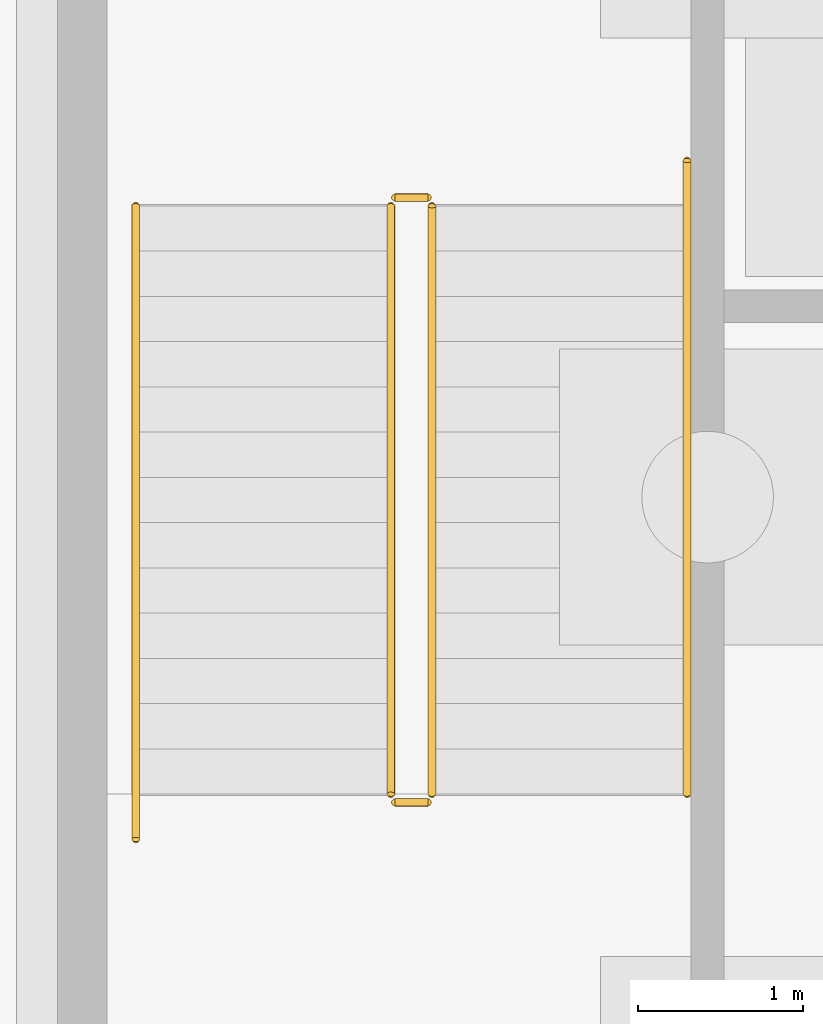
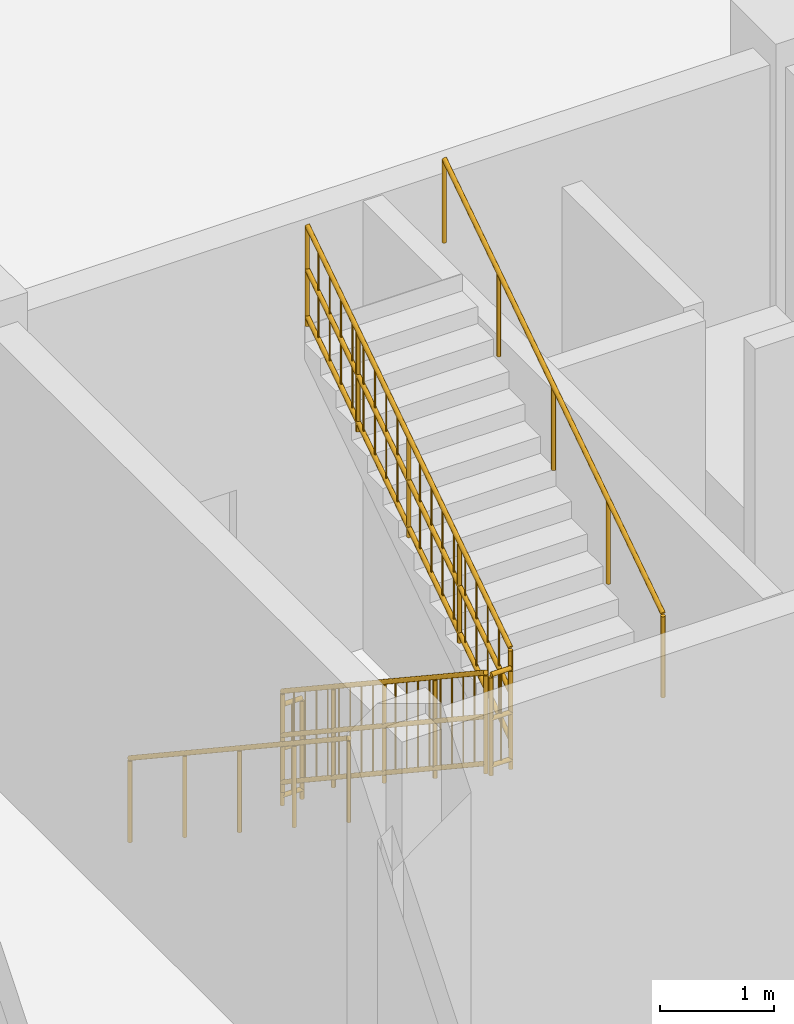
# One storey, part 43 of 48: 6 railings.
"""IFC4 building model written with IfcOpenShell, lengths in metres."""

from ifc_helpers import new_model, si_unit, direction, frame, origin, origin_2d, place, context, subcontext, project, spatial, circle, extrude, material, layer, layer_set, type_object, element, save


model = new_model("IFC4")

# Units and contexts
model_context = context("Model", 3, precision=1e-05, world=origin(), true_north=direction((0.0, 1.0)))
body_context = subcontext(model_context, "Body", "Model", "MODEL_VIEW")
ifc_project = project(units=[si_unit("LENGTHUNIT", "METRE"), si_unit("AREAUNIT", "SQUARE_METRE"), si_unit("VOLUMEUNIT", "CUBIC_METRE"), si_unit("PLANEANGLEUNIT", "RADIAN"), si_unit("MASSUNIT", "GRAM", prefix="KILO")], contexts=[model_context])

# Site, building, storey
site_placement = place(None, origin())
site = spatial("IfcSite", under=ifc_project, at=site_placement, CompositionType="ELEMENT")
building_placement = place(site_placement, origin())
building = spatial("IfcBuilding", under=site, at=building_placement, Name="Nabrawat Pavilion Hospital", CompositionType="ELEMENT")
storey_placement = place(building_placement, frame((0.0, 0.0, -5.10009765625)))
storey = spatial("IfcBuildingStorey", under=building, at=storey_placement, Name="B1", CompositionType="ELEMENT", Elevation=-5.10009765625)

# Railings
ifc_material = material(Name="Stainless Steel 316", Category="steel")
ifc_layer_1 = layer(ifc_material, 0.050048828125, Name="Stainless Steel 316")
ifc_layer_set_1 = layer_set([ifc_layer_1], Name="Stainless Steel 316")
railing_type_1 = type_object("IfcRailingType", Name="Stair Open-Well Safety Guardrail 1100", PredefinedType="GUARDRAIL", material=ifc_layer_set_1)
railing_1_placement = place(storey_placement, frame((86.02490234375, 91.530029296875, 0.18212890625)))
element("IfcRailing", 1, at=railing_1_placement, inside=storey, type_object=railing_type_1, Name="B1 ST-03 stair guard 1", PredefinedType="GUARDRAIL", context=body_context, shape_type="SweptSolid", body=[
    extrude(circle(Radius=0.02392578125, at=origin_2d()), frame((0.0, 0.0, 1.076171875), z_axis=(0.0, -0.833702089047, 0.552214475289), x_axis=(1.0, 0.0, 0.0)), (0.0, 0.0, 1.0), 4.2880859375),
    extrude(circle(Radius=0.02392578125, at=origin_2d()), frame((0.0, 0.0, 0.10009765625), z_axis=(0.0, -0.833702089047, 0.552214475289), x_axis=(1.0, 0.0, 0.0)), (0.0, 0.0, 1.0), 4.2880859375),
    extrude(circle(Radius=0.02392578125, at=origin_2d()), frame((0.0, 0.0, 0.60498046875), z_axis=(0.0, -0.833702089047, 0.552214475289), x_axis=(1.0, 0.0, 0.0)), (0.0, 0.0, 1.0), 4.2880859375),
    extrude(circle(Radius=0.008056640625, at=origin_2d()), frame((0.0, -0.19873046875, 0.2314453125)), (0.0, 0.0, 1.0), 0.951904296875),
    extrude(circle(Radius=0.008056640625, at=origin_2d()), frame((0.0, -0.397216796875, 0.363037109375)), (0.0, 0.0, 1.0), 0.951904296875),
    extrude(circle(Radius=0.008056640625, at=origin_2d()), frame((0.0, -0.595703125, 0.49462890625)), (0.0, 0.0, 1.0), 0.951904296875),
    extrude(circle(Radius=0.008056640625, at=origin_2d()), frame((0.0, -0.79443359375, 0.626220703125)), (0.0, 0.0, 1.0), 0.951904296875),
    extrude(circle(Radius=0.008056640625, at=origin_2d()), frame((0.0, -0.9931640625, 0.7578125)), (0.0, 0.0, 1.0), 0.951904296875),
    extrude(circle(Radius=0.008056640625, at=origin_2d()), frame((0.0, -1.191650390625, 0.889404296875)), (0.0, 0.0, 1.0), 0.951904296875),
    extrude(circle(Radius=0.008056640625, at=origin_2d()), frame((0.0, -1.39013671875, 1.020751953125)), (0.0, 0.0, 1.0), 0.951904296875),
    extrude(circle(Radius=0.008056640625, at=origin_2d()), frame((0.0, -1.5888671875, 1.15234375)), (0.0, 0.0, 1.0), 0.951904296875),
    extrude(circle(Radius=0.008056640625, at=origin_2d()), frame((0.0, -1.986083984375, 1.41552734375)), (0.0, 0.0, 1.0), 0.951904296875),
    extrude(circle(Radius=0.008056640625, at=origin_2d()), frame((0.0, -2.1845703125, 1.547119140625)), (0.0, 0.0, 1.0), 0.951904296875),
    extrude(circle(Radius=0.008056640625, at=origin_2d()), frame((0.0, -2.38330078125, 1.6787109375)), (0.0, 0.0, 1.0), 0.951904296875),
    extrude(circle(Radius=0.008056640625, at=origin_2d()), frame((0.0, -2.58203125, 1.81005859375)), (0.0, 0.0, 1.0), 0.951904296875),
    extrude(circle(Radius=0.008056640625, at=origin_2d()), frame((0.0, -2.780517578125, 1.941650390625)), (0.0, 0.0, 1.0), 0.951904296875),
    extrude(circle(Radius=0.008056640625, at=origin_2d()), frame((0.0, -2.97900390625, 2.0732421875)), (0.0, 0.0, 1.0), 0.951904296875),
    extrude(circle(Radius=0.008056640625, at=origin_2d()), frame((0.0, -3.177734375, 2.204833984375)), (0.0, 0.0, 1.0), 0.951904296875),
    extrude(circle(Radius=0.008056640625, at=origin_2d()), frame((0.0, -3.37646484375, 2.33642578125)), (0.0, 0.0, 1.0), 0.951904296875),
    extrude(circle(Radius=0.02099609375, at=origin_2d()), origin(), (0.0, 0.0, 1.0), 1.052001953125),
    extrude(circle(Radius=0.02099609375, at=origin_2d()), frame((0.0, -0.893798828125, 0.592041015625)), (0.0, 0.0, 1.0), 1.052001953125),
    extrude(circle(Radius=0.02099609375, at=origin_2d()), frame((0.0, -1.78759765625, 1.18408203125)), (0.0, 0.0, 1.0), 1.052001953125),
    extrude(circle(Radius=0.02099609375, at=origin_2d()), frame((0.0, -2.68115234375, 1.77587890625)), (0.0, 0.0, 1.0), 1.052001953125),
    extrude(circle(Radius=0.02099609375, at=origin_2d()), frame((0.0, -3.574951171875, 2.367919921875)), (0.0, 0.0, 1.0), 1.052001953125),
])
railing_2_placement = place(storey_placement, frame((86.050048828125, 87.905029296875, 2.550048828125)))
element("IfcRailing", 2, at=railing_2_placement, inside=storey, type_object=railing_type_1, Name="B1 ST-03 stair guard 2", PredefinedType="GUARDRAIL", context=body_context, shape_type="SweptSolid", body=[
    extrude(circle(Radius=0.02392578125, at=origin_2d()), frame((0.0, 0.0, 1.076171875), z_axis=(1.0, 0.0, 0.0), x_axis=(0.0, 1.0, 0.0)), (0.0, 0.0, 1.0), 0.199951171875),
    extrude(circle(Radius=0.02392578125, at=origin_2d()), frame((0.0, 0.0, 0.10009765625), z_axis=(1.0, 0.0, 0.0), x_axis=(0.0, 1.0, 0.0)), (0.0, 0.0, 1.0), 0.199951171875),
    extrude(circle(Radius=0.02392578125, at=origin_2d()), frame((0.0, 0.0, 0.60498046875), z_axis=(1.0, 0.0, 0.0), x_axis=(0.0, 1.0, 0.0)), (0.0, 0.0, 1.0), 0.199951171875),
    extrude(circle(Radius=0.008056640625, at=origin_2d()), frame((0.10009765625, 0.0, 0.10009765625)), (0.0, 0.0, 1.0), 0.951904296875),
    extrude(circle(Radius=0.02099609375, at=origin_2d()), origin(), (0.0, 0.0, 1.0), 1.052001953125),
    extrude(circle(Radius=0.02099609375, at=origin_2d()), frame((0.199951171875, 0.0, 0.0)), (0.0, 0.0, 1.0), 1.052001953125),
])
railing_3_placement = place(storey_placement, frame((86.27490234375, 87.955078125, 2.732177734375)))
element("IfcRailing", 3, at=railing_3_placement, inside=storey, type_object=railing_type_1, Name="B1 ST-03 stair guard 3", PredefinedType="GUARDRAIL", context=body_context, shape_type="SweptSolid", body=[
    extrude(circle(Radius=0.02392578125, at=origin_2d()), frame((0.0, 0.0, 1.076171875), z_axis=(0.0, 0.833702089047, 0.552214475289), x_axis=(-1.0, 0.0, 0.0)), (0.0, 0.0, 1.0), 4.2880859375),
    extrude(circle(Radius=0.02392578125, at=origin_2d()), frame((0.0, 0.0, 0.10009765625), z_axis=(0.0, 0.833702089047, 0.552214475289), x_axis=(-1.0, 0.0, 0.0)), (0.0, 0.0, 1.0), 4.2880859375),
    extrude(circle(Radius=0.02392578125, at=origin_2d()), frame((0.0, 0.0, 0.60498046875), z_axis=(0.0, 0.833702089047, 0.552214475289), x_axis=(-1.0, 0.0, 0.0)), (0.0, 0.0, 1.0), 4.2880859375),
    extrude(circle(Radius=0.008056640625, at=origin_2d()), frame((0.0, 0.19873046875, 0.2314453125)), (0.0, 0.0, 1.0), 0.951904296875),
    extrude(circle(Radius=0.008056640625, at=origin_2d()), frame((0.0, 0.397216796875, 0.363037109375)), (0.0, 0.0, 1.0), 0.951904296875),
    extrude(circle(Radius=0.008056640625, at=origin_2d()), frame((0.0, 0.595703125, 0.49462890625)), (0.0, 0.0, 1.0), 0.951904296875),
    extrude(circle(Radius=0.008056640625, at=origin_2d()), frame((0.0, 0.79443359375, 0.626220703125)), (0.0, 0.0, 1.0), 0.951904296875),
    extrude(circle(Radius=0.008056640625, at=origin_2d()), frame((0.0, 0.9931640625, 0.7578125)), (0.0, 0.0, 1.0), 0.951904296875),
    extrude(circle(Radius=0.008056640625, at=origin_2d()), frame((0.0, 1.191650390625, 0.889404296875)), (0.0, 0.0, 1.0), 0.951904296875),
    extrude(circle(Radius=0.008056640625, at=origin_2d()), frame((0.0, 1.39013671875, 1.020751953125)), (0.0, 0.0, 1.0), 0.951904296875),
    extrude(circle(Radius=0.008056640625, at=origin_2d()), frame((0.0, 1.5888671875, 1.15234375)), (0.0, 0.0, 1.0), 0.951904296875),
    extrude(circle(Radius=0.008056640625, at=origin_2d()), frame((0.0, 1.986083984375, 1.41552734375)), (0.0, 0.0, 1.0), 0.951904296875),
    extrude(circle(Radius=0.008056640625, at=origin_2d()), frame((0.0, 2.1845703125, 1.547119140625)), (0.0, 0.0, 1.0), 0.951904296875),
    extrude(circle(Radius=0.008056640625, at=origin_2d()), frame((0.0, 2.38330078125, 1.6787109375)), (0.0, 0.0, 1.0), 0.951904296875),
    extrude(circle(Radius=0.008056640625, at=origin_2d()), frame((0.0, 2.58203125, 1.81005859375)), (0.0, 0.0, 1.0), 0.951904296875),
    extrude(circle(Radius=0.008056640625, at=origin_2d()), frame((0.0, 2.780517578125, 1.941650390625)), (0.0, 0.0, 1.0), 0.951904296875),
    extrude(circle(Radius=0.008056640625, at=origin_2d()), frame((0.0, 2.97900390625, 2.0732421875)), (0.0, 0.0, 1.0), 0.951904296875),
    extrude(circle(Radius=0.008056640625, at=origin_2d()), frame((0.0, 3.177734375, 2.204833984375)), (0.0, 0.0, 1.0), 0.951904296875),
    extrude(circle(Radius=0.008056640625, at=origin_2d()), frame((0.0, 3.37646484375, 2.33642578125)), (0.0, 0.0, 1.0), 0.951904296875),
    extrude(circle(Radius=0.02099609375, at=origin_2d()), origin(), (0.0, 0.0, 1.0), 1.052001953125),
    extrude(circle(Radius=0.02099609375, at=origin_2d()), frame((0.0, 0.893798828125, 0.592041015625)), (0.0, 0.0, 1.0), 1.052001953125),
    extrude(circle(Radius=0.02099609375, at=origin_2d()), frame((0.0, 1.78759765625, 1.18408203125)), (0.0, 0.0, 1.0), 1.052001953125),
    extrude(circle(Radius=0.02099609375, at=origin_2d()), frame((0.0, 2.68115234375, 1.77587890625)), (0.0, 0.0, 1.0), 1.052001953125),
    extrude(circle(Radius=0.02099609375, at=origin_2d()), frame((0.0, 3.574951171875, 2.367919921875)), (0.0, 0.0, 1.0), 1.052001953125),
])
railing_4_placement = place(storey_placement, frame((86.050048828125, 91.580078125, 0.0)))
element("IfcRailing", 4, at=railing_4_placement, inside=storey, type_object=railing_type_1, Name="B1 ST-03 stair guard 4", PredefinedType="GUARDRAIL", context=body_context, shape_type="SweptSolid", body=[
    extrude(circle(Radius=0.02392578125, at=origin_2d()), frame((0.0, 0.0, 1.076171875), z_axis=(1.0, 0.0, 0.0), x_axis=(0.0, 1.0, 0.0)), (0.0, 0.0, 1.0), 0.199951171875),
    extrude(circle(Radius=0.02392578125, at=origin_2d()), frame((0.0, 0.0, 0.10009765625), z_axis=(1.0, 0.0, 0.0), x_axis=(0.0, 1.0, 0.0)), (0.0, 0.0, 1.0), 0.199951171875),
    extrude(circle(Radius=0.02392578125, at=origin_2d()), frame((0.0, 0.0, 0.60498046875), z_axis=(1.0, 0.0, 0.0), x_axis=(0.0, 1.0, 0.0)), (0.0, 0.0, 1.0), 0.199951171875),
    extrude(circle(Radius=0.008056640625, at=origin_2d()), frame((0.10009765625, 0.0, 0.10009765625)), (0.0, 0.0, 1.0), 0.951904296875),
    extrude(circle(Radius=0.02099609375, at=origin_2d()), origin(), (0.0, 0.0, 1.0), 1.052001953125),
    extrude(circle(Radius=0.02099609375, at=origin_2d()), frame((0.199951171875, 0.0, 0.0)), (0.0, 0.0, 1.0), 1.052001953125),
])
ifc_layer_2 = layer(ifc_material, 0.044921875, Name="Stainless Steel 316")
ifc_layer_set_2 = layer_set([ifc_layer_2], Name="Stainless Steel 316")
railing_type_2 = type_object("IfcRailingType", Name="Stair Pitch Continuous Handrail 920", PredefinedType="HANDRAIL", material=ifc_layer_set_2)
railing_5_placement = place(storey_placement, frame((84.47509765625, 91.530029296875, 0.186279296875)))
element("IfcRailing", 5, at=railing_5_placement, inside=storey, type_object=railing_type_2, Name="B1 ST-03 stair handrail 1", PredefinedType="HANDRAIL", context=body_context, shape_type="SweptSolid", body=[
    extrude(circle(Radius=0.02392578125, at=origin_2d()), frame((0.0, 0.0, 0.89599609375), z_axis=(0.0, -0.833713881912, 0.552196670677), x_axis=(1.0, 0.0, 0.0)), (0.0, 0.0, 1.0), 4.617919921875),
    extrude(circle(Radius=0.02099609375, at=origin_2d()), origin(), (0.0, 0.0, 1.0), 0.871826171875),
    extrude(circle(Radius=0.02099609375, at=origin_2d()), frame((0.0, -0.96240234375, 0.637451171875)), (0.0, 0.0, 1.0), 0.871826171875),
    extrude(circle(Radius=0.02099609375, at=origin_2d()), frame((0.0, -1.925048828125, 1.27490234375)), (0.0, 0.0, 1.0), 0.871826171875),
    extrude(circle(Radius=0.02099609375, at=origin_2d()), frame((0.0, -2.8876953125, 1.91259765625)), (0.0, 0.0, 1.0), 0.871826171875),
    extrude(circle(Radius=0.02099609375, at=origin_2d()), frame((0.0, -3.85009765625, 2.550048828125)), (0.0, 0.0, 1.0), 0.871826171875),
])
railing_6_placement = place(storey_placement, frame((87.824951171875, 87.955078125, 2.736328125)))
element("IfcRailing", 6, at=railing_6_placement, inside=storey, type_object=railing_type_2, Name="B1 ST-03 stair handrail 2", PredefinedType="HANDRAIL", context=body_context, shape_type="SweptSolid", body=[
    extrude(circle(Radius=0.02392578125, at=origin_2d()), frame((0.0, 0.0, 0.89599609375), z_axis=(0.0, 0.833722100762, 0.552184261548), x_axis=(-1.0, 0.0, 0.0)), (0.0, 0.0, 1.0), 4.61767578125),
    extrude(circle(Radius=0.02099609375, at=origin_2d()), origin(), (0.0, 0.0, 1.0), 0.871826171875),
    extrude(circle(Radius=0.02099609375, at=origin_2d()), frame((0.0, 0.96240234375, 0.637451171875)), (0.0, 0.0, 1.0), 0.871826171875),
    extrude(circle(Radius=0.02099609375, at=origin_2d()), frame((0.0, 1.9248046875, 1.27490234375)), (0.0, 0.0, 1.0), 0.871826171875),
    extrude(circle(Radius=0.02099609375, at=origin_2d()), frame((0.0, 2.887451171875, 1.912353515625)), (0.0, 0.0, 1.0), 0.871826171875),
    extrude(circle(Radius=0.02099609375, at=origin_2d()), frame((0.0, 3.849853515625, 2.5498046875)), (0.0, 0.0, 1.0), 0.871826171875),
])

save(model, "model.ifc")
